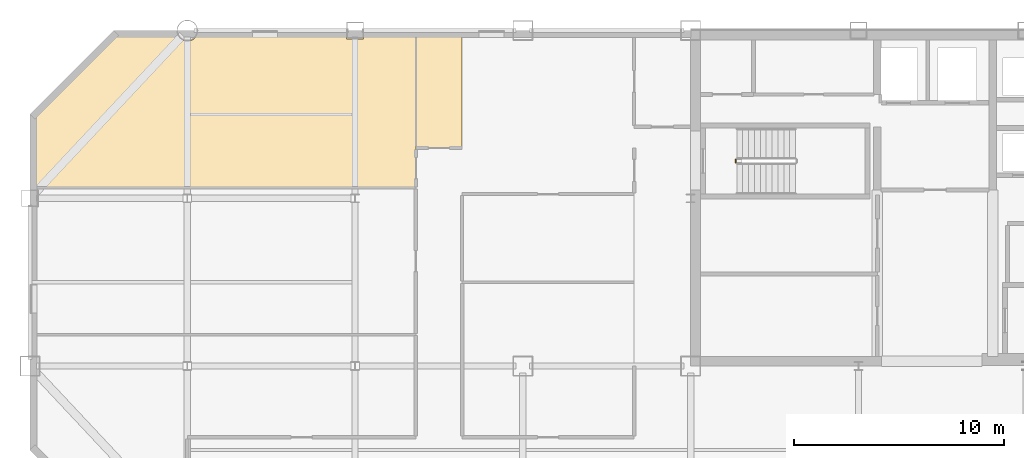
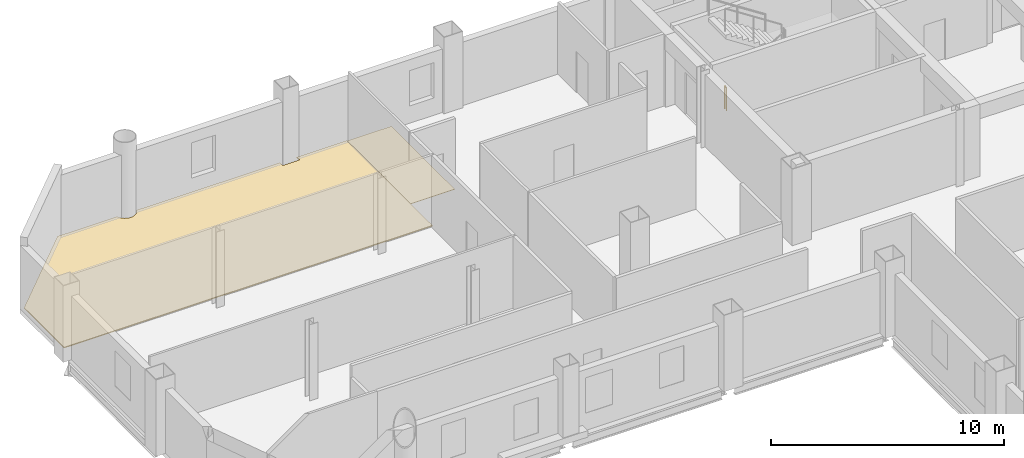
# One storey, part 9 of 10: 2 coverings, 1 railing.
"""IFC4 building model written with IfcOpenShell, lengths in metres."""

from ifc_helpers import new_model, si_unit, direction, frame, origin, origin_2d, place, context, subcontext, project, spatial, polyline, circle, outline, extrude, material, layer, layer_set, type_object, element, save


model = new_model("IFC4")

# Units and contexts
model_context = context("Model", 3, precision=1e-05, world=origin(), true_north=direction((0.0, 1.0)))
body_context = subcontext(model_context, "Body", "Model", "MODEL_VIEW")
ifc_project = project(units=[si_unit("LENGTHUNIT", "METRE"), si_unit("AREAUNIT", "SQUARE_METRE"), si_unit("VOLUMEUNIT", "CUBIC_METRE"), si_unit("PLANEANGLEUNIT", "RADIAN"), si_unit("MASSUNIT", "GRAM", prefix="KILO")], contexts=[model_context])

# Site, building, storey
site_placement = place(None, origin())
site = spatial("IfcSite", under=ifc_project, at=site_placement, CompositionType="ELEMENT")
building_placement = place(site_placement, origin())
building = spatial("IfcBuilding", under=site, at=building_placement, Name="Qianrong Seaharbour Tower", CompositionType="ELEMENT")
storey_placement = place(building_placement, frame((0.0, 0.0, 261.800048828125)))
storey = spatial("IfcBuildingStorey", under=building, at=storey_placement, Name="L63", CompositionType="ELEMENT", Elevation=261.800048828125)

# Coverings
ifc_material_1 = material(Name="Acoustic modular carpet tile flooring")
ifc_layer_1 = layer(ifc_material_1, 0.02001953125)
ifc_layer_set_1 = layer_set([ifc_layer_1], Name="Acoustic modular carpet tile flooring")
covering_type_1 = type_object("IfcCoveringType", Name="COV-FLOOR-CARPET-20", PredefinedType="FLOORING", material=ifc_layer_set_1)
covering_1_placement = place(storey_placement, origin())
element("IfcCovering", 1, at=covering_1_placement, inside=storey, type_object=covering_type_1, Name="L63 Wellness Exercise Hall Finish Flooring", PredefinedType="FLOORING", context=body_context, shape_type="SweptSolid", body=[
    extrude(outline(polyline([(29.60009765625, 46.39990234375), (27.39990234375, 46.39990234375), (27.39990234375, 51.8349609375), (29.60009765625, 51.8349609375), (29.60009765625, 46.39990234375)])), origin(), (0.0, 0.0, 1.0), 0.02001953125),
])
ifc_material_2 = material(Name="Calcium-sulphate raised access floor tile")
ifc_layer_2 = layer(ifc_material_2, 0.044921875)
ifc_layer_set_2 = layer_set([ifc_layer_2], Name="Calcium-sulphate raised access floor tile")
covering_type_2 = type_object("IfcCoveringType", Name="COV-FLOOR-RAISED-45", PredefinedType="FLOORING", material=ifc_layer_set_2)
covering_2_placement = place(storey_placement, origin())
element("IfcCovering", 2, at=covering_2_placement, inside=storey, type_object=covering_type_2, Name="L63 Case Coordinator Office 3 Finish Flooring", PredefinedType="FLOORING", context=body_context, shape_type="SweptSolid", body=[
    extrude(outline(polyline([(9.1650390625, 47.931640625), (13.068359375, 51.8349609375), (16.019775390625, 51.8349609375), (16.02880859375, 51.8046875), (16.075927734375, 51.716796875), (16.139404296875, 51.639404296875), (16.216796875, 51.575927734375), (16.3046875, 51.52880859375), (16.400390625, 51.499755859375), (16.5, 51.489990234375), (16.599609375, 51.499755859375), (16.6953125, 51.52880859375), (16.783203125, 51.575927734375), (16.860595703125, 51.639404296875), (16.924072265625, 51.716796875), (16.97119140625, 51.8046875), (16.980224609375, 51.8349609375), (24.090087890625, 51.8349609375), (24.090087890625, 51.590087890625), (24.909912109375, 51.590087890625), (24.909912109375, 51.8349609375), (27.39990234375, 51.8349609375), (27.39990234375, 44.5), (9.1650390625, 44.5), (9.1650390625, 47.931640625)])), origin(), (0.0, 0.0, 1.0), 0.044921875),
])

# Railing
ifc_material_3 = material(Name="Galvanized painted steel SN400B stair guard", Category="steel")
railing_type = type_object("IfcRailingType", Name="RAIL-STAIR-GUARD-1220", PredefinedType="GUARDRAIL", material=ifc_material_3)
railing_placement = place(storey_placement, frame((42.64990234375, 45.699951171875, 0.0)))
element("IfcRailing", 3, at=railing_placement, inside=storey, type_object=railing_type, Name="L63 ST-1 stair guard 4", PredefinedType="GUARDRAIL", context=body_context, shape_type="SweptSolid", body=[
    extrude(circle(Radius=0.02392578125, at=origin_2d()), frame((0.0, 0.0, 1.19580078125), z_axis=(0.0, 1.0, 0.0), x_axis=(-1.0, 0.0, 0.0)), (0.0, 0.0, 1.0), 0.150146484375),
    extrude(circle(Radius=0.02099609375, at=origin_2d()), origin(), (0.0, 0.0, 1.0), 1.171875),
    extrude(circle(Radius=0.02099609375, at=origin_2d()), frame((0.0, 0.150146484375, 0.0)), (0.0, 0.0, 1.0), 1.171875),
])

save(model, "model.ifc")
